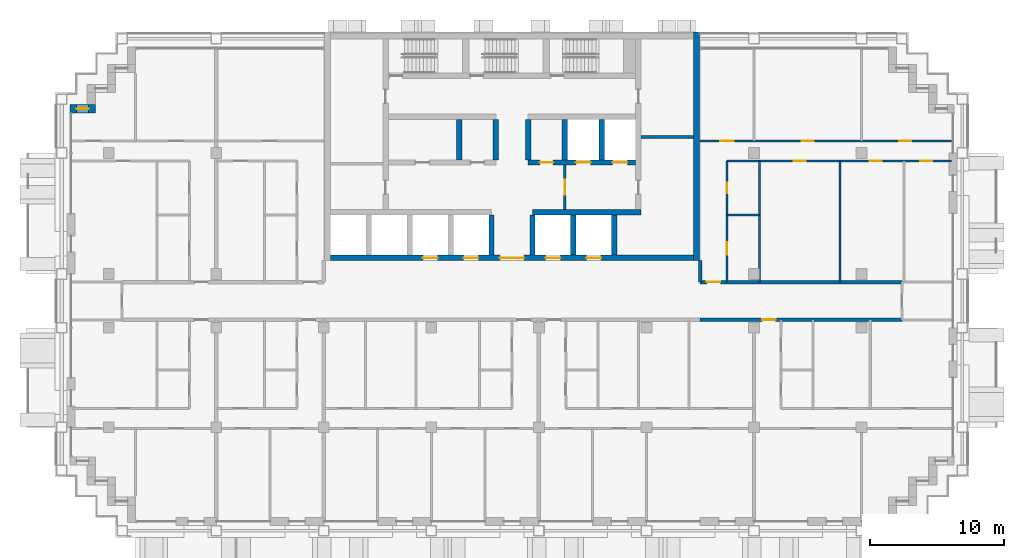
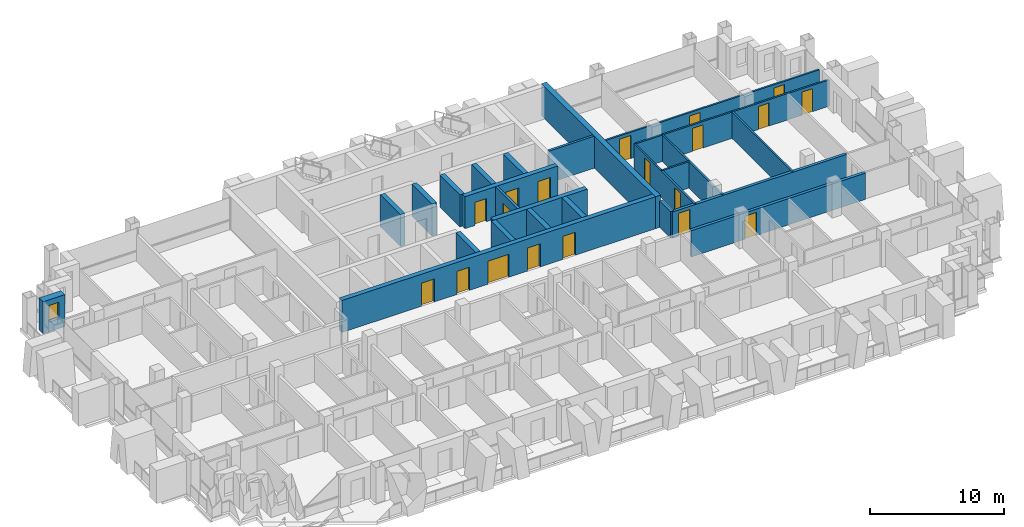
# One storey, part 11 of 18: 25 walls, 19 doors, 1 window, 20 openings.
"""IFC4 building model written with IfcOpenShell, lengths in metres."""

from ifc_helpers import new_model, si_unit, direction, frame, frame_2d, origin, place, context, subcontext, project, spatial, rectangle, extrude, material, layer, layer_set, type_object, element, fill, save


model = new_model("IFC4")

# Units and contexts
model_context = context("Model", 3, precision=1e-05, world=origin(), true_north=direction((0.0, 1.0)))
body_context = subcontext(model_context, "Body", "Model", "MODEL_VIEW")
ifc_project = project(units=[si_unit("LENGTHUNIT", "METRE"), si_unit("AREAUNIT", "SQUARE_METRE"), si_unit("VOLUMEUNIT", "CUBIC_METRE"), si_unit("PLANEANGLEUNIT", "RADIAN"), si_unit("MASSUNIT", "GRAM", prefix="KILO")], contexts=[model_context])

# Site, building, storey
site_placement = place(None, origin())
site = spatial("IfcSite", under=ifc_project, at=site_placement, CompositionType="ELEMENT")
building_placement = place(site_placement, origin())
building = spatial("IfcBuilding", under=site, at=building_placement, Name="Vidyagriha Tower", CompositionType="ELEMENT")
storey_placement = place(building_placement, frame((0.0, 0.0, 123.0)))
storey = spatial("IfcBuildingStorey", under=building, at=storey_placement, Name="L31", CompositionType="ELEMENT", Elevation=123.0)

# Wall, opening, window
ifc_material_1 = material(Name="Precast concrete C40/50 with brick facing", Category="concrete")
ifc_layer_1 = layer(ifc_material_1, 0.60009765625)
ifc_layer_set_1 = layer_set([ifc_layer_1], Name="Precast concrete C40/50 with brick facing")
wall_type_1 = type_object("IfcWallType", Name="Brick-faced precast wall 600", PredefinedType="STANDARD", material=ifc_layer_set_1)
wall_1_placement = place(storey_placement, frame((-31.0, 14.300048828125, 0.0), z_axis=(0.0, 0.0, 1.0), x_axis=(-1.0, 0.0, 0.0)))
wall_1 = element("IfcWall", 1, at=wall_1_placement, inside=storey, type_object=wall_type_1, Name="Stepped corner wall L31 R15", PredefinedType="STANDARD", context=body_context, shape_type="SweptSolid", body=[
    extrude(rectangle(XDim=1.8798828125, YDim=0.60009765625, at=frame_2d((0.93994140625, 0.0))), origin(), (0.0, 0.0, 1.0), 2.919921875),
])
opening_1_placement = place(wall_1_placement, frame((0.489990234375, 0.0, 0.89990234375)))
opening_1 = element("IfcOpeningElement", 2, at=opening_1_placement, cuts=wall_1, Name="Opening WN1", PredefinedType="OPENING", context=body_context, shape_type="SweptSolid", body=[
    extrude(rectangle(XDim=0.89990234375, YDim=1.5, at=frame_2d((0.449951171875, 0.75))), frame((0.0, 0.31005859375, 0.0), z_axis=(0.0, -1.0, 0.0), x_axis=(1.0, 0.0, 0.0)), (0.0, 0.0, 1.0), 0.6201171875),
])
ifc_material_2 = material(Name="Aluminium and glass window", Category="aluminium")
window_type = type_object("IfcWindowType", Name="Reveal window 900x1500", PartitioningType="NOTDEFINED", PredefinedType="WINDOW", material=ifc_material_2)
window_placement = place(opening_1_placement, origin())
window = element("IfcWindow", 3, at=window_placement, inside=storey, type_object=window_type, Name="Reveal window L31 R15", OverallHeight=1.5, OverallWidth=0.89990234375, PartitioningType="SINGLE_PANEL", PredefinedType="WINDOW", context=body_context, shape_type="SweptSolid", body=[
    extrude(rectangle(XDim=0.89990234375, YDim=1.5, at=frame_2d((0.449951171875, 0.75))), frame((0.0, 0.030029296875, 0.0), z_axis=(0.0, -1.0, 0.0), x_axis=(1.0, 0.0, 0.0)), (0.0, 0.0, 1.0), 0.06005859375),
])
fill(opening_1, window)

# Wall, openings, doors
ifc_material_3 = material(Name="Concrete C60/75", Category="concrete")
ifc_layer_2 = layer(ifc_material_3, 0.39990234375)
ifc_layer_set_2 = layer_set([ifc_layer_2], Name="Concrete C60/75")
wall_type_2 = type_object("IfcWallType", Name="Core shear wall 400 mm", PredefinedType="SHEAR", material=ifc_layer_set_2)
wall_2_placement = place(storey_placement, frame((-13.5, 3.199951171875, 0.0)))
wall_2 = element("IfcWall", 4, at=wall_2_placement, inside=storey, type_object=wall_type_2, Name="Core front wall", PredefinedType="SHEAR", context=body_context, shape_type="SweptSolid", body=[
    extrude(rectangle(XDim=27.0, YDim=0.39990234375, at=frame_2d((13.5, 0.0))), origin(), (0.0, 0.0, 1.0), 2.919921875),
])
opening_2_placement = place(wall_2_placement, frame((6.861083984375, 0.0, 0.0)))
opening_2 = element("IfcOpeningElement", 5, at=opening_2_placement, cuts=wall_2, Name="Opening LD31-01", PredefinedType="OPENING", context=body_context, shape_type="SweptSolid", body=[
    extrude(rectangle(XDim=1.10009765625, YDim=2.10009765625, at=frame_2d((0.550048828125, 1.050048828125))), frame((0.0, 0.2099609375, 0.0), z_axis=(0.0, -1.0, 0.0), x_axis=(1.0, 0.0, 0.0)), (0.0, 0.0, 1.0), 0.419921875),
])
opening_3_placement = place(wall_2_placement, frame((9.905517578125, 0.0, 0.0)))
opening_3 = element("IfcOpeningElement", 6, at=opening_3_placement, cuts=wall_2, Name="Opening LD31-02", PredefinedType="OPENING", context=body_context, shape_type="SweptSolid", body=[
    extrude(rectangle(XDim=1.10009765625, YDim=2.10009765625, at=frame_2d((0.550048828125, 1.050048828125))), frame((0.0, 0.2099609375, 0.0), z_axis=(0.0, -1.0, 0.0), x_axis=(1.0, 0.0, 0.0)), (0.0, 0.0, 1.0), 0.419921875),
])
opening_4_placement = place(wall_2_placement, frame((15.994384765625, 0.0, 0.0)))
opening_4 = element("IfcOpeningElement", 7, at=opening_4_placement, cuts=wall_2, Name="Opening LD31-03", PredefinedType="OPENING", context=body_context, shape_type="SweptSolid", body=[
    extrude(rectangle(XDim=1.10009765625, YDim=2.10009765625, at=frame_2d((0.550048828125, 1.050048828125))), frame((0.0, 0.2099609375, 0.0), z_axis=(0.0, -1.0, 0.0), x_axis=(1.0, 0.0, 0.0)), (0.0, 0.0, 1.0), 0.419921875),
])
opening_5_placement = place(wall_2_placement, frame((19.038818359375, 0.0, 0.0)))
opening_5 = element("IfcOpeningElement", 8, at=opening_5_placement, cuts=wall_2, Name="Opening LD31-04", PredefinedType="OPENING", context=body_context, shape_type="SweptSolid", body=[
    extrude(rectangle(XDim=1.10009765625, YDim=2.10009765625, at=frame_2d((0.550048828125, 1.050048828125))), frame((0.0, 0.2099609375, 0.0), z_axis=(0.0, -1.0, 0.0), x_axis=(1.0, 0.0, 0.0)), (0.0, 0.0, 1.0), 0.419921875),
])
opening_6_placement = place(wall_2_placement, frame((12.60009765625, 0.0, 0.0)))
opening_6 = element("IfcOpeningElement", 9, at=opening_6_placement, cuts=wall_2, Name="Opening D31-01", PredefinedType="OPENING", context=body_context, shape_type="SweptSolid", body=[
    extrude(rectangle(XDim=1.800048828125, YDim=2.10009765625, at=frame_2d((0.89990234375, 1.050048828125))), frame((0.0, 0.2099609375, 0.0), z_axis=(0.0, -1.0, 0.0), x_axis=(1.0, 0.0, 0.0)), (0.0, 0.0, 1.0), 0.419921875),
])
ifc_material_4 = material(Name="Hollow metal door leaf")
door_type_1 = type_object("IfcDoorType", Name="Core lobby double door 1800 x 2100 mm EI 60", OperationType="NOTDEFINED", PredefinedType="DOOR", material=ifc_material_4)
door_1_placement = place(opening_6_placement, frame((1.800048828125, 0.0, 0.0), z_axis=(0.0, 0.0, 1.0), x_axis=(-1.0, 0.0, 0.0)))
door_1 = element("IfcDoor", 10, at=door_1_placement, inside=storey, type_object=door_type_1, Name="Core entrance door L31", OperationType="DOUBLE_DOOR_SINGLE_SWING", OverallHeight=2.10009765625, OverallWidth=1.800048828125, PredefinedType="DOOR", context=body_context, shape_type="SweptSolid", body=[
    extrude(rectangle(XDim=1.800048828125, YDim=2.10009765625, at=frame_2d((0.89990234375, 1.050048828125))), frame((0.0, 0.02490234375, 0.0), z_axis=(0.0, -1.0, 0.0), x_axis=(1.0, 0.0, 0.0)), (0.0, 0.0, 1.0), 0.050048828125),
])
fill(opening_6, door_1)
ifc_material_5 = material(Name="Stainless steel sliding door panel", Category="steel")
door_type_2 = type_object("IfcDoorType", Name="Lift landing door 1100 x 2100 mm EI 90", OperationType="NOTDEFINED", PredefinedType="DOOR", material=ifc_material_5)
door_2_placement = place(opening_2_placement, origin())
door_2 = element("IfcDoor", 11, at=door_2_placement, inside=storey, type_object=door_type_2, Name="Landing door LR1 L31", OperationType="SLIDING_TO_LEFT", OverallHeight=2.10009765625, OverallWidth=1.10009765625, PredefinedType="DOOR", context=body_context, shape_type="SweptSolid", body=[
    extrude(rectangle(XDim=1.10009765625, YDim=2.10009765625, at=frame_2d((0.550048828125, 1.050048828125))), frame((0.0, 0.02490234375, 0.0), z_axis=(0.0, -1.0, 0.0), x_axis=(1.0, 0.0, 0.0)), (0.0, 0.0, 1.0), 0.050048828125),
])
fill(opening_2, door_2)
door_3_placement = place(opening_3_placement, origin())
door_3 = element("IfcDoor", 12, at=door_3_placement, inside=storey, type_object=door_type_2, Name="Landing door LR2 L31", OperationType="SLIDING_TO_LEFT", OverallHeight=2.10009765625, OverallWidth=1.10009765625, PredefinedType="DOOR", context=body_context, shape_type="SweptSolid", body=[
    extrude(rectangle(XDim=1.10009765625, YDim=2.10009765625, at=frame_2d((0.550048828125, 1.050048828125))), frame((0.0, 0.02490234375, 0.0), z_axis=(0.0, -1.0, 0.0), x_axis=(1.0, 0.0, 0.0)), (0.0, 0.0, 1.0), 0.050048828125),
])
fill(opening_3, door_3)
door_4_placement = place(opening_4_placement, origin())
door_4 = element("IfcDoor", 13, at=door_4_placement, inside=storey, type_object=door_type_2, Name="Landing door LR3 L31", OperationType="SLIDING_TO_LEFT", OverallHeight=2.10009765625, OverallWidth=1.10009765625, PredefinedType="DOOR", context=body_context, shape_type="SweptSolid", body=[
    extrude(rectangle(XDim=1.10009765625, YDim=2.10009765625, at=frame_2d((0.550048828125, 1.050048828125))), frame((0.0, 0.02490234375, 0.0), z_axis=(0.0, -1.0, 0.0), x_axis=(1.0, 0.0, 0.0)), (0.0, 0.0, 1.0), 0.050048828125),
])
fill(opening_4, door_4)
door_5_placement = place(opening_5_placement, origin())
door_5 = element("IfcDoor", 14, at=door_5_placement, inside=storey, type_object=door_type_2, Name="Landing door LR4 L31", OperationType="SLIDING_TO_LEFT", OverallHeight=2.10009765625, OverallWidth=1.10009765625, PredefinedType="DOOR", context=body_context, shape_type="SweptSolid", body=[
    extrude(rectangle(XDim=1.10009765625, YDim=2.10009765625, at=frame_2d((0.550048828125, 1.050048828125))), frame((0.0, 0.02490234375, 0.0), z_axis=(0.0, -1.0, 0.0), x_axis=(1.0, 0.0, 0.0)), (0.0, 0.0, 1.0), 0.050048828125),
])
fill(opening_5, door_5)

# Walls
wall_3_placement = place(storey_placement, frame((1.522216796875, 6.60009765625, 0.0)))
element("IfcWall", 15, at=wall_3_placement, inside=storey, type_object=wall_type_2, Name="Core lobby south wall east", PredefinedType="SHEAR", context=body_context, shape_type="SweptSolid", body=[
    extrude(rectangle(XDim=8.077880859375, YDim=0.39990234375, at=frame_2d((4.0390625, 0.0))), origin(), (0.0, 0.0, 1.0), 2.919921875),
])
for number, where, z_axis, x_axis, name in (
    (16, (-1.522216796875, 3.39990234375, 0.0), (0.0, 0.0, 1.0), (0.0, 1.0, 0.0), "Core bay wall S4"),
    (17, (1.522216796875, 3.39990234375, 0.0), (0.0, 0.0, 1.0), (0.0, 1.0, 0.0), "Core bay wall S5"),
    (18, (4.566650390625, 3.39990234375, 0.0), (0.0, 0.0, 1.0), (0.0, 1.0, 0.0), "Core bay wall S6"),
    (19, (7.611083984375, 3.39990234375, 0.0), (0.0, 0.0, 1.0), (0.0, 1.0, 0.0), "Core bay wall S7"),
):
    element("IfcWall", number, at=place(storey_placement, frame(where, z_axis=z_axis, x_axis=x_axis)), inside=storey, type_object=wall_type_2, Name=name, PredefinedType="SHEAR", context=body_context, shape_type="SweptSolid", body=[
        extrude(rectangle(XDim=3.0, YDim=0.39990234375, at=frame_2d((1.5, 0.0))), origin(), (0.0, 0.0, 1.0), 2.919921875),
    ])

# Wall, openings, doors
wall_4_placement = place(storey_placement, frame((1.199951171875, 10.300048828125, 0.0)))
wall_4 = element("IfcWall", 20, at=wall_4_placement, inside=storey, type_object=wall_type_2, Name="Core row N front wall", PredefinedType="SHEAR", context=body_context, shape_type="SweptSolid", body=[
    extrude(rectangle(XDim=8.0, YDim=0.39990234375, at=frame_2d((4.0, 0.0))), origin(), (0.0, 0.0, 1.0), 2.919921875),
])
opening_7_placement = place(wall_4_placement, frame((3.550048828125, 0.0, 0.0)))
opening_7 = element("IfcOpeningElement", 21, at=opening_7_placement, cuts=wall_4, Name="Opening LD31-05", PredefinedType="OPENING", context=body_context, shape_type="SweptSolid", body=[
    extrude(rectangle(XDim=1.10009765625, YDim=2.10009765625, at=frame_2d((0.550048828125, 1.050048828125))), frame((0.0, 0.2099609375, 0.0), z_axis=(0.0, -1.0, 0.0), x_axis=(1.0, 0.0, 0.0)), (0.0, 0.0, 1.0), 0.419921875),
])
opening_8_placement = place(wall_4_placement, frame((6.283203125, 0.0, 0.0)))
opening_8 = element("IfcOpeningElement", 22, at=opening_8_placement, cuts=wall_4, Name="Opening LD31-06", PredefinedType="OPENING", context=body_context, shape_type="SweptSolid", body=[
    extrude(rectangle(XDim=1.10009765625, YDim=2.10009765625, at=frame_2d((0.550048828125, 1.050048828125))), frame((0.0, 0.2099609375, 0.0), z_axis=(0.0, -1.0, 0.0), x_axis=(1.0, 0.0, 0.0)), (0.0, 0.0, 1.0), 0.419921875),
])
opening_9_placement = place(wall_4_placement, frame((0.86669921875, 0.0, 0.0)))
opening_9 = element("IfcOpeningElement", 23, at=opening_9_placement, cuts=wall_4, Name="Opening D31-04", PredefinedType="OPENING", context=body_context, shape_type="SweptSolid", body=[
    extrude(rectangle(XDim=1.0, YDim=2.10009765625, at=frame_2d((0.5, 1.050048828125))), frame((0.0, 0.2099609375, 0.0), z_axis=(0.0, -1.0, 0.0), x_axis=(1.0, 0.0, 0.0)), (0.0, 0.0, 1.0), 0.419921875),
])
ifc_material_6 = material(Name="Hollow metal door leaf")
door_type_3 = type_object("IfcDoorType", Name="Core room door 1000 x 2100 mm EI 60", OperationType="NOTDEFINED", PredefinedType="DOOR", material=ifc_material_6)
door_6_placement = place(opening_9_placement, frame((1.0, 0.0, 0.0), z_axis=(0.0, 0.0, 1.0), x_axis=(-1.0, 0.0, 0.0)))
door_6 = element("IfcDoor", 24, at=door_6_placement, inside=storey, type_object=door_type_3, Name="Door Switchgear Room 31.16", OperationType="SINGLE_SWING_LEFT", OverallHeight=2.10009765625, OverallWidth=1.0, PredefinedType="DOOR", context=body_context, shape_type="SweptSolid", body=[
    extrude(rectangle(XDim=1.0, YDim=2.10009765625, at=frame_2d((0.5, 1.050048828125))), frame((0.0, 0.02490234375, 0.0), z_axis=(0.0, -1.0, 0.0), x_axis=(1.0, 0.0, 0.0)), (0.0, 0.0, 1.0), 0.050048828125),
])
fill(opening_9, door_6)
door_7_placement = place(opening_7_placement, origin())
door_7 = element("IfcDoor", 25, at=door_7_placement, inside=storey, type_object=door_type_2, Name="Landing door FF1 L31", OperationType="SLIDING_TO_LEFT", OverallHeight=2.10009765625, OverallWidth=1.10009765625, PredefinedType="DOOR", context=body_context, shape_type="SweptSolid", body=[
    extrude(rectangle(XDim=1.10009765625, YDim=2.10009765625, at=frame_2d((0.550048828125, 1.050048828125))), frame((0.0, 0.02490234375, 0.0), z_axis=(0.0, -1.0, 0.0), x_axis=(1.0, 0.0, 0.0)), (0.0, 0.0, 1.0), 0.050048828125),
])
fill(opening_7, door_7)
door_8_placement = place(opening_8_placement, origin())
door_8 = element("IfcDoor", 26, at=door_8_placement, inside=storey, type_object=door_type_2, Name="Landing door FF2 L31", OperationType="SLIDING_TO_LEFT", OverallHeight=2.10009765625, OverallWidth=1.10009765625, PredefinedType="DOOR", context=body_context, shape_type="SweptSolid", body=[
    extrude(rectangle(XDim=1.10009765625, YDim=2.10009765625, at=frame_2d((0.550048828125, 1.050048828125))), frame((0.0, 0.02490234375, 0.0), z_axis=(0.0, -1.0, 0.0), x_axis=(1.0, 0.0, 0.0)), (0.0, 0.0, 1.0), 0.050048828125),
])
fill(opening_8, door_8)

# Walls
for number, where, z_axis, x_axis, name in (
    (27, (-3.933349609375, 10.5, 0.0), (0.0, 0.0, 1.0), (0.0, 1.0, 0.0), "Core bay wall N2"),
    (28, (-1.199951171875, 10.5, 0.0), (0.0, 0.0, 1.0), (0.0, 1.0, 0.0), "Core bay wall N3"),
    (29, (1.199951171875, 10.5, 0.0), (0.0, 0.0, 1.0), (0.0, 1.0, 0.0), "Core bay wall N4"),
    (30, (3.933349609375, 10.5, 0.0), (0.0, 0.0, 1.0), (0.0, 1.0, 0.0), "Core bay wall N5"),
    (31, (6.666748046875, 10.5, 0.0), (0.0, 0.0, 1.0), (0.0, 1.0, 0.0), "Core bay wall N6"),
):
    element("IfcWall", number, at=place(storey_placement, frame(where, z_axis=z_axis, x_axis=x_axis)), inside=storey, type_object=wall_type_2, Name=name, PredefinedType="SHEAR", context=body_context, shape_type="SweptSolid", body=[
        extrude(rectangle(XDim=3.0, YDim=0.39990234375, at=frame_2d((1.5, 0.0))), origin(), (0.0, 0.0, 1.0), 2.919921875),
    ])
ifc_material_7 = material(Name="Concrete C60/75", Category="concrete")
ifc_layer_3 = layer(ifc_material_7, 0.449951171875)
ifc_layer_set_3 = layer_set([ifc_layer_3], Name="Concrete C60/75")
wall_type_3 = type_object("IfcWallType", Name="Core shear wall 450 mm", PredefinedType="SHEAR", material=ifc_layer_set_3)
wall_5_placement = place(storey_placement, frame((13.72509765625, 3.0, 0.0), z_axis=(0.0, 0.0, 1.0), x_axis=(0.0, 1.0, 0.0)))
element("IfcWall", 32, at=wall_5_placement, inside=storey, type_object=wall_type_3, Name="Core east wall", PredefinedType="SHEAR", context=body_context, shape_type="SweptSolid", body=[
    extrude(rectangle(XDim=17.0, YDim=0.449951171875, at=frame_2d((8.5, 0.0))), origin(), (0.0, 0.0, 1.0), 2.919921875),
])

# Wall, opening, door
ifc_material_8 = material(Name="Fired clay brick masonry", Category="masonry")
ifc_layer_4 = layer(ifc_material_8, 0.25)
ifc_layer_set_4 = layer_set([ifc_layer_4], Name="Fired clay brick masonry")
wall_type_4 = type_object("IfcWallType", Name="Fired clay brick corridor wall 250", PredefinedType="PARTITIONING", material=ifc_layer_set_4)
wall_6_placement = place(storey_placement, frame((29.0, -1.39990234375, 0.0), z_axis=(0.0, 0.0, 1.0), x_axis=(-1.0, 0.0, 0.0)))
wall_6 = element("IfcWall", 33, at=wall_6_placement, inside=storey, type_object=wall_type_4, Name="Wall all-L31-w083", PredefinedType="PARTITIONING", context=body_context, shape_type="SweptSolid", body=[
    extrude(rectangle(XDim=15.0, YDim=0.25, at=frame_2d((7.5, 0.0))), origin(), (0.0, 0.0, 1.0), 2.39990234375),
])
opening_10_placement = place(wall_6_placement, frame((9.382080078125, 0.0, 0.0)))
opening_10 = element("IfcOpeningElement", 34, at=opening_10_placement, cuts=wall_6, Name="Opening D31-50", PredefinedType="OPENING", context=body_context, shape_type="SweptSolid", body=[
    extrude(rectangle(XDim=1.0, YDim=2.10009765625, at=frame_2d((0.5, 1.050048828125))), frame((0.0, 0.135009765625, 0.0), z_axis=(0.0, -1.0, 0.0), x_axis=(1.0, 0.0, 0.0)), (0.0, 0.0, 1.0), 0.27001953125),
])
ifc_material_9 = material(Name="Fire-rated timber door leaf EI 60", Category="wood")
door_type_4 = type_object("IfcDoorType", Name="Flat entrance fire door 1000x2100", OperationType="NOTDEFINED", PredefinedType="DOOR", material=ifc_material_9)
door_9_placement = place(opening_10_placement, origin())
door_9 = element("IfcDoor", 35, at=door_9_placement, inside=storey, type_object=door_type_4, Name="Door D31-50", OperationType="SINGLE_SWING_RIGHT", OverallHeight=2.10009765625, OverallWidth=1.0, PredefinedType="DOOR", context=body_context, shape_type="SweptSolid", body=[
    extrude(rectangle(XDim=1.0, YDim=2.10009765625, at=frame_2d((0.5, 1.050048828125))), frame((0.0, 0.02490234375, 0.0), z_axis=(0.0, -1.0, 0.0), x_axis=(1.0, 0.0, 0.0)), (0.0, 0.0, 1.0), 0.050048828125),
])
fill(opening_10, door_9)

wall_7_placement = place(storey_placement, frame((14.0, 1.39990234375, 0.0)))
wall_7 = element("IfcWall", 36, at=wall_7_placement, inside=storey, type_object=wall_type_4, Name="Wall all-L31-w128", PredefinedType="PARTITIONING", context=body_context, shape_type="SweptSolid", body=[
    extrude(rectangle(XDim=15.0, YDim=0.25, at=frame_2d((7.5, 0.0))), origin(), (0.0, 0.0, 1.0), 2.39990234375),
])
opening_11_placement = place(wall_7_placement, frame((0.5, 0.0, 0.0)))
opening_11 = element("IfcOpeningElement", 37, at=opening_11_placement, cuts=wall_7, Name="Opening D31-70", PredefinedType="OPENING", context=body_context, shape_type="SweptSolid", body=[
    extrude(rectangle(XDim=1.0, YDim=2.10009765625, at=frame_2d((0.5, 1.050048828125))), frame((0.0, 0.135009765625, 0.0), z_axis=(0.0, -1.0, 0.0), x_axis=(1.0, 0.0, 0.0)), (0.0, 0.0, 1.0), 0.27001953125),
])
door_10_placement = place(opening_11_placement, origin())
door_10 = element("IfcDoor", 38, at=door_10_placement, inside=storey, type_object=door_type_4, Name="Door D31-70", OperationType="SINGLE_SWING_LEFT", OverallHeight=2.10009765625, OverallWidth=1.0, PredefinedType="DOOR", context=body_context, shape_type="SweptSolid", body=[
    extrude(rectangle(XDim=1.0, YDim=2.10009765625, at=frame_2d((0.5, 1.050048828125))), frame((0.0, 0.02490234375, 0.0), z_axis=(0.0, -1.0, 0.0), x_axis=(1.0, 0.0, 0.0)), (0.0, 0.0, 1.0), 0.050048828125),
])
fill(opening_11, door_10)

# Walls
wall_8_placement = place(storey_placement, frame((14.0, 1.39990234375, 0.0), z_axis=(0.0, 0.0, 1.0), x_axis=(0.0, 1.0, 0.0)))
element("IfcWall", 39, at=wall_8_placement, inside=storey, type_object=wall_type_4, Name="Wall all-L31-w136", PredefinedType="PARTITIONING", context=body_context, shape_type="SweptSolid", body=[
    extrude(rectangle(XDim=1.60009765625, YDim=0.25, at=frame_2d((0.800048828125, 0.0))), origin(), (0.0, 0.0, 1.0), 2.39990234375),
])
ifc_material_10 = material(Name="Gypsum board partition")
ifc_layer_5 = layer(ifc_material_10, 0.14990234375)
ifc_layer_set_5 = layer_set([ifc_layer_5], Name="Gypsum board partition")
wall_type_5 = type_object("IfcWallType", Name="Gypsum board partition 150", PredefinedType="PARTITIONING", material=ifc_layer_set_5)
wall_9_placement = place(storey_placement, frame((16.0, 6.39990234375, 0.0)))
element("IfcWall", 40, at=wall_9_placement, inside=storey, type_object=wall_type_5, Name="Wall all-L31-w113", PredefinedType="PARTITIONING", context=body_context, shape_type="SweptSolid", body=[
    extrude(rectangle(XDim=2.39990234375, YDim=0.14990234375, at=frame_2d((1.199951171875, 0.0))), origin(), (0.0, 0.0, 1.0), 2.39990234375),
])
for number, where, z_axis, x_axis, name in (
    (41, (18.39990234375, 10.39990234375, 0.0), (0.0, 0.0, 1.0), (0.0, -1.0, 0.0), "Wall all-L31-w114"),
    (42, (24.39990234375, 10.39990234375, 0.0), (0.0, 0.0, 1.0), (0.0, -1.0, 0.0), "Wall all-L31-w115"),
):
    element("IfcWall", number, at=place(storey_placement, frame(where, z_axis=z_axis, x_axis=x_axis)), inside=storey, type_object=wall_type_5, Name=name, PredefinedType="PARTITIONING", context=body_context, shape_type="SweptSolid", body=[
        extrude(rectangle(XDim=9.0, YDim=0.14990234375, at=frame_2d((4.5, 0.0))), origin(), (0.0, 0.0, 1.0), 2.39990234375),
    ])

# Wall, openings, doors
wall_10_placement = place(storey_placement, frame((32.7099609375, 10.39990234375, 0.0), z_axis=(0.0, 0.0, 1.0), x_axis=(-1.0, 0.0, 0.0)))
wall_10 = element("IfcWall", 43, at=wall_10_placement, inside=storey, type_object=wall_type_5, Name="Wall all-L31-w117", PredefinedType="PARTITIONING", context=body_context, shape_type="SweptSolid", body=[
    extrude(rectangle(XDim=16.7099609375, YDim=0.14990234375, at=frame_2d((8.35498046875, 0.0))), origin(), (0.0, 0.0, 1.0), 2.39990234375),
])
opening_12_placement = place(wall_10_placement, frame((10.860107421875, 0.0, 0.0)))
opening_12 = element("IfcOpeningElement", 44, at=opening_12_placement, cuts=wall_10, Name="Opening D31-64", PredefinedType="OPENING", context=body_context, shape_type="SweptSolid", body=[
    extrude(rectangle(XDim=0.89990234375, YDim=2.10009765625, at=frame_2d((0.449951171875, 1.050048828125))), frame((0.0, 0.0849609375, 0.0), z_axis=(0.0, -1.0, 0.0), x_axis=(1.0, 0.0, 0.0)), (0.0, 0.0, 1.0), 0.169921875),
])
opening_13_placement = place(wall_10_placement, frame((5.19189453125, 0.0, 0.0)))
opening_13 = element("IfcOpeningElement", 45, at=opening_13_placement, cuts=wall_10, Name="Opening D31-65", PredefinedType="OPENING", context=body_context, shape_type="SweptSolid", body=[
    extrude(rectangle(XDim=0.89990234375, YDim=2.10009765625, at=frame_2d((0.449951171875, 1.050048828125))), frame((0.0, 0.0849609375, 0.0), z_axis=(0.0, -1.0, 0.0), x_axis=(1.0, 0.0, 0.0)), (0.0, 0.0, 1.0), 0.169921875),
])
opening_14_placement = place(wall_10_placement, frame((1.43505859375, 0.0, 0.0)))
opening_14 = element("IfcOpeningElement", 46, at=opening_14_placement, cuts=wall_10, Name="Opening D31-66", PredefinedType="OPENING", context=body_context, shape_type="SweptSolid", body=[
    extrude(rectangle(XDim=0.89990234375, YDim=2.10009765625, at=frame_2d((0.449951171875, 1.050048828125))), frame((0.0, 0.0849609375, 0.0), z_axis=(0.0, -1.0, 0.0), x_axis=(1.0, 0.0, 0.0)), (0.0, 0.0, 1.0), 0.169921875),
])
ifc_material_11 = material(Name="Timber door leaf", Category="wood")
door_type_5 = type_object("IfcDoorType", Name="Room door 900x2100", OperationType="NOTDEFINED", PredefinedType="DOOR", material=ifc_material_11)
door_11_placement = place(opening_12_placement, origin())
door_11 = element("IfcDoor", 47, at=door_11_placement, inside=storey, type_object=door_type_5, Name="Door D31-64", OperationType="SINGLE_SWING_RIGHT", OverallHeight=2.10009765625, OverallWidth=0.89990234375, PredefinedType="DOOR", context=body_context, shape_type="SweptSolid", body=[
    extrude(rectangle(XDim=0.89990234375, YDim=2.10009765625, at=frame_2d((0.449951171875, 1.050048828125))), frame((0.0, 0.02490234375, 0.0), z_axis=(0.0, -1.0, 0.0), x_axis=(1.0, 0.0, 0.0)), (0.0, 0.0, 1.0), 0.050048828125),
])
fill(opening_12, door_11)
door_12_placement = place(opening_13_placement, origin())
door_12 = element("IfcDoor", 48, at=door_12_placement, inside=storey, type_object=door_type_5, Name="Door D31-65", OperationType="SINGLE_SWING_LEFT", OverallHeight=2.10009765625, OverallWidth=0.89990234375, PredefinedType="DOOR", context=body_context, shape_type="SweptSolid", body=[
    extrude(rectangle(XDim=0.89990234375, YDim=2.10009765625, at=frame_2d((0.449951171875, 1.050048828125))), frame((0.0, 0.02490234375, 0.0), z_axis=(0.0, -1.0, 0.0), x_axis=(1.0, 0.0, 0.0)), (0.0, 0.0, 1.0), 0.050048828125),
])
fill(opening_13, door_12)
door_13_placement = place(opening_14_placement, origin())
door_13 = element("IfcDoor", 49, at=door_13_placement, inside=storey, type_object=door_type_5, Name="Door D31-66", OperationType="SINGLE_SWING_RIGHT", OverallHeight=2.10009765625, OverallWidth=0.89990234375, PredefinedType="DOOR", context=body_context, shape_type="SweptSolid", body=[
    extrude(rectangle(XDim=0.89990234375, YDim=2.10009765625, at=frame_2d((0.449951171875, 1.050048828125))), frame((0.0, 0.02490234375, 0.0), z_axis=(0.0, -1.0, 0.0), x_axis=(1.0, 0.0, 0.0)), (0.0, 0.0, 1.0), 0.050048828125),
])
fill(opening_14, door_13)

wall_11_placement = place(storey_placement, frame((14.0, 11.89990234375, 0.0)))
wall_11 = element("IfcWall", 50, at=wall_11_placement, inside=storey, type_object=wall_type_5, Name="Wall all-L31-w121", PredefinedType="PARTITIONING", context=body_context, shape_type="SweptSolid", body=[
    extrude(rectangle(XDim=18.719970703125, YDim=0.14990234375, at=frame_2d((9.35986328125, 0.0))), origin(), (0.0, 0.0, 1.0), 2.39990234375),
])
opening_15_placement = place(wall_11_placement, frame((1.5, 0.0, 0.0)))
opening_15 = element("IfcOpeningElement", 51, at=opening_15_placement, cuts=wall_11, Name="Opening D31-67", PredefinedType="OPENING", context=body_context, shape_type="SweptSolid", body=[
    extrude(rectangle(XDim=1.0, YDim=2.10009765625, at=frame_2d((0.5, 1.050048828125))), frame((0.0, 0.0849609375, 0.0), z_axis=(0.0, -1.0, 0.0), x_axis=(1.0, 0.0, 0.0)), (0.0, 0.0, 1.0), 0.169921875),
])
opening_16_placement = place(wall_11_placement, frame((7.550048828125, 0.0, 0.0)))
opening_16 = element("IfcOpeningElement", 52, at=opening_16_placement, cuts=wall_11, Name="Opening D31-68", PredefinedType="OPENING", context=body_context, shape_type="SweptSolid", body=[
    extrude(rectangle(XDim=0.89990234375, YDim=2.10009765625, at=frame_2d((0.449951171875, 1.050048828125))), frame((0.0, 0.0849609375, 0.0), z_axis=(0.0, -1.0, 0.0), x_axis=(1.0, 0.0, 0.0)), (0.0, 0.0, 1.0), 0.169921875),
])
opening_17_placement = place(wall_11_placement, frame((14.800048828125, 0.0, 0.0)))
opening_17 = element("IfcOpeningElement", 53, at=opening_17_placement, cuts=wall_11, Name="Opening D31-69", PredefinedType="OPENING", context=body_context, shape_type="SweptSolid", body=[
    extrude(rectangle(XDim=0.89990234375, YDim=2.10009765625, at=frame_2d((0.449951171875, 1.050048828125))), frame((0.0, 0.0849609375, 0.0), z_axis=(0.0, -1.0, 0.0), x_axis=(1.0, 0.0, 0.0)), (0.0, 0.0, 1.0), 0.169921875),
])
ifc_material_12 = material(Name="Timber door leaf", Category="wood")
door_type_6 = type_object("IfcDoorType", Name="Room door 1000x2100", OperationType="NOTDEFINED", PredefinedType="DOOR", material=ifc_material_12)
door_14_placement = place(opening_15_placement, origin())
door_14 = element("IfcDoor", 54, at=door_14_placement, inside=storey, type_object=door_type_6, Name="Door D31-67", OperationType="SINGLE_SWING_RIGHT", OverallHeight=2.10009765625, OverallWidth=1.0, PredefinedType="DOOR", context=body_context, shape_type="SweptSolid", body=[
    extrude(rectangle(XDim=1.0, YDim=2.10009765625, at=frame_2d((0.5, 1.050048828125))), frame((0.0, 0.02490234375, 0.0), z_axis=(0.0, -1.0, 0.0), x_axis=(1.0, 0.0, 0.0)), (0.0, 0.0, 1.0), 0.050048828125),
])
fill(opening_15, door_14)
door_15_placement = place(opening_16_placement, origin())
door_15 = element("IfcDoor", 55, at=door_15_placement, inside=storey, type_object=door_type_5, Name="Door D31-68", OperationType="SINGLE_SWING_RIGHT", OverallHeight=2.10009765625, OverallWidth=0.89990234375, PredefinedType="DOOR", context=body_context, shape_type="SweptSolid", body=[
    extrude(rectangle(XDim=0.89990234375, YDim=2.10009765625, at=frame_2d((0.449951171875, 1.050048828125))), frame((0.0, 0.02490234375, 0.0), z_axis=(0.0, -1.0, 0.0), x_axis=(1.0, 0.0, 0.0)), (0.0, 0.0, 1.0), 0.050048828125),
])
fill(opening_16, door_15)
door_16_placement = place(opening_17_placement, origin())
door_16 = element("IfcDoor", 56, at=door_16_placement, inside=storey, type_object=door_type_5, Name="Door D31-69", OperationType="SINGLE_SWING_RIGHT", OverallHeight=2.10009765625, OverallWidth=0.89990234375, PredefinedType="DOOR", context=body_context, shape_type="SweptSolid", body=[
    extrude(rectangle(XDim=0.89990234375, YDim=2.10009765625, at=frame_2d((0.449951171875, 1.050048828125))), frame((0.0, 0.02490234375, 0.0), z_axis=(0.0, -1.0, 0.0), x_axis=(1.0, 0.0, 0.0)), (0.0, 0.0, 1.0), 0.050048828125),
])
fill(opening_17, door_16)

ifc_material_13 = material(Name="Moisture resistant gypsum board partition")
ifc_layer_6 = layer(ifc_material_13, 0.14990234375)
ifc_layer_set_6 = layer_set([ifc_layer_6], Name="Moisture resistant gypsum board partition")
wall_type_6 = type_object("IfcWallType", Name="Gypsum board wet-area partition 150", PredefinedType="PARTITIONING", material=ifc_layer_set_6)
wall_12_placement = place(storey_placement, frame((16.0, 10.39990234375, 0.0), z_axis=(0.0, 0.0, 1.0), x_axis=(0.0, -1.0, 0.0)))
wall_12 = element("IfcWall", 57, at=wall_12_placement, inside=storey, type_object=wall_type_6, Name="Wall all-L31-w110", PredefinedType="PARTITIONING", context=body_context, shape_type="SweptSolid", body=[
    extrude(rectangle(XDim=9.0, YDim=0.14990234375, at=frame_2d((4.5, 0.0))), origin(), (0.0, 0.0, 1.0), 2.39990234375),
])
opening_18_placement = place(wall_12_placement, frame((6.050048828125, 0.0, 0.0)))
opening_18 = element("IfcOpeningElement", 58, at=opening_18_placement, cuts=wall_12, Name="Opening D31-62", PredefinedType="OPENING", context=body_context, shape_type="SweptSolid", body=[
    extrude(rectangle(XDim=0.89990234375, YDim=2.10009765625, at=frame_2d((0.449951171875, 1.050048828125))), frame((0.0, 0.0849609375, 0.0), z_axis=(0.0, -1.0, 0.0), x_axis=(1.0, 0.0, 0.0)), (0.0, 0.0, 1.0), 0.169921875),
])
opening_19_placement = place(wall_12_placement, frame((1.60009765625, 0.0, 0.0)))
opening_19 = element("IfcOpeningElement", 59, at=opening_19_placement, cuts=wall_12, Name="Opening D31-63", PredefinedType="OPENING", context=body_context, shape_type="SweptSolid", body=[
    extrude(rectangle(XDim=0.800048828125, YDim=2.10009765625, at=frame_2d((0.39990234375, 1.050048828125))), frame((0.0, 0.0849609375, 0.0), z_axis=(0.0, -1.0, 0.0), x_axis=(1.0, 0.0, 0.0)), (0.0, 0.0, 1.0), 0.169921875),
])
ifc_material_14 = material(Name="Timber door leaf", Category="wood")
door_type_7 = type_object("IfcDoorType", Name="Bathroom door 800x2100", OperationType="NOTDEFINED", PredefinedType="DOOR", material=ifc_material_14)
door_17_placement = place(opening_19_placement, origin())
door_17 = element("IfcDoor", 60, at=door_17_placement, inside=storey, type_object=door_type_7, Name="Door D31-63", OperationType="SINGLE_SWING_RIGHT", OverallHeight=2.10009765625, OverallWidth=0.800048828125, PredefinedType="DOOR", context=body_context, shape_type="SweptSolid", body=[
    extrude(rectangle(XDim=0.800048828125, YDim=2.10009765625, at=frame_2d((0.39990234375, 1.050048828125))), frame((0.0, 0.02490234375, 0.0), z_axis=(0.0, -1.0, 0.0), x_axis=(1.0, 0.0, 0.0)), (0.0, 0.0, 1.0), 0.050048828125),
])
fill(opening_19, door_17)
ifc_material_15 = material(Name="Timber door leaf", Category="wood")
door_type_8 = type_object("IfcDoorType", Name="Kitchen door 900x2100", OperationType="NOTDEFINED", PredefinedType="DOOR", material=ifc_material_15)
door_18_placement = place(opening_18_placement, origin())
door_18 = element("IfcDoor", 61, at=door_18_placement, inside=storey, type_object=door_type_8, Name="Door D31-62", OperationType="SINGLE_SWING_LEFT", OverallHeight=2.10009765625, OverallWidth=0.89990234375, PredefinedType="DOOR", context=body_context, shape_type="SweptSolid", body=[
    extrude(rectangle(XDim=0.89990234375, YDim=2.10009765625, at=frame_2d((0.449951171875, 1.050048828125))), frame((0.0, 0.02490234375, 0.0), z_axis=(0.0, -1.0, 0.0), x_axis=(1.0, 0.0, 0.0)), (0.0, 0.0, 1.0), 0.050048828125),
])
fill(opening_18, door_18)

# Wall, opening, door
ifc_material_16 = material(Name="Blockwork 15 MPa", Category="masonry")
ifc_layer_7 = layer(ifc_material_16, 0.199951171875)
ifc_layer_set_7 = layer_set([ifc_layer_7], Name="Blockwork 15 MPa")
wall_type_7 = type_object("IfcWallType", Name="Service room partition 200 mm", PredefinedType="PARTITIONING", material=ifc_layer_set_7)
wall_13_placement = place(storey_placement, frame((3.933349609375, 6.800048828125, 0.0), z_axis=(0.0, 0.0, 1.0), x_axis=(0.0, 1.0, 0.0)))
wall_13 = element("IfcWall", 62, at=wall_13_placement, inside=storey, type_object=wall_type_7, Name="Fire-fighting lobby west wall", PredefinedType="PARTITIONING", context=body_context, shape_type="SweptSolid", body=[
    extrude(rectangle(XDim=3.300048828125, YDim=0.199951171875, at=frame_2d((1.64990234375, 0.0))), origin(), (0.0, 0.0, 1.0), 2.919921875),
])
opening_20_placement = place(wall_13_placement, frame((1.10009765625, 0.0, 0.0)))
opening_20 = element("IfcOpeningElement", 63, at=opening_20_placement, cuts=wall_13, Name="Opening D31-05", PredefinedType="OPENING", context=body_context, shape_type="SweptSolid", body=[
    extrude(rectangle(XDim=1.10009765625, YDim=2.10009765625, at=frame_2d((0.550048828125, 1.050048828125))), frame((0.0, 0.10986328125, 0.0), z_axis=(0.0, -1.0, 0.0), x_axis=(1.0, 0.0, 0.0)), (0.0, 0.0, 1.0), 0.219970703125),
])
ifc_material_17 = material(Name="Hollow metal door leaf")
door_type_9 = type_object("IfcDoorType", Name="Fire-fighting lobby door 1100 x 2100 mm EI 90", OperationType="NOTDEFINED", PredefinedType="DOOR", material=ifc_material_17)
door_19_placement = place(opening_20_placement, origin())
door_19 = element("IfcDoor", 64, at=door_19_placement, inside=storey, type_object=door_type_9, Name="Fire-fighting lobby door L31", OperationType="SINGLE_SWING_RIGHT", OverallHeight=2.10009765625, OverallWidth=1.10009765625, PredefinedType="DOOR", context=body_context, shape_type="SweptSolid", body=[
    extrude(rectangle(XDim=1.10009765625, YDim=2.10009765625, at=frame_2d((0.550048828125, 1.050048828125))), frame((0.0, 0.02490234375, 0.0), z_axis=(0.0, -1.0, 0.0), x_axis=(1.0, 0.0, 0.0)), (0.0, 0.0, 1.0), 0.050048828125),
])
fill(opening_20, door_19)

# Wall
wall_14_placement = place(storey_placement, frame((9.60009765625, 12.199951171875, 0.0)))
element("IfcWall", 65, at=wall_14_placement, inside=storey, type_object=wall_type_7, Name="Core room partition E1", PredefinedType="PARTITIONING", context=body_context, shape_type="SweptSolid", body=[
    extrude(rectangle(XDim=3.89990234375, YDim=0.199951171875, at=frame_2d((1.949951171875, 0.0))), origin(), (0.0, 0.0, 1.0), 2.919921875),
])

save(model, "model.ifc")
